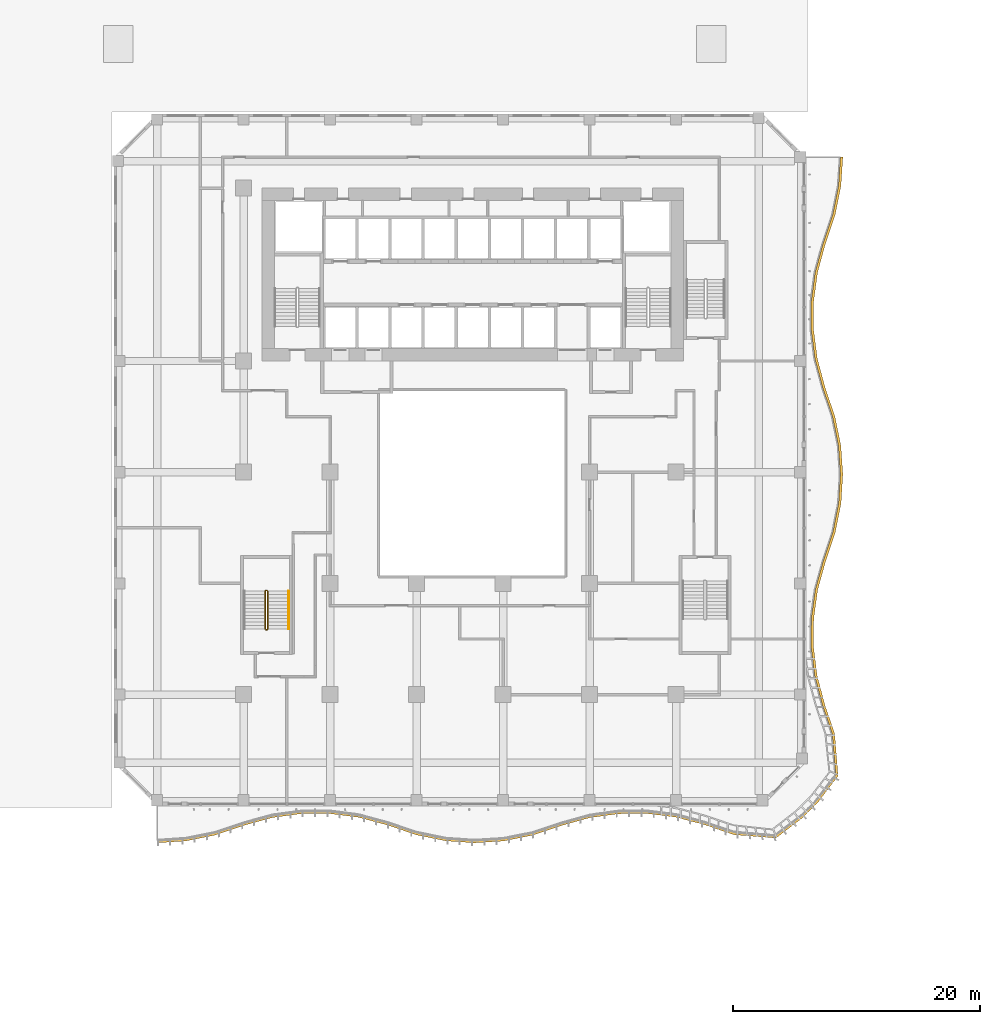
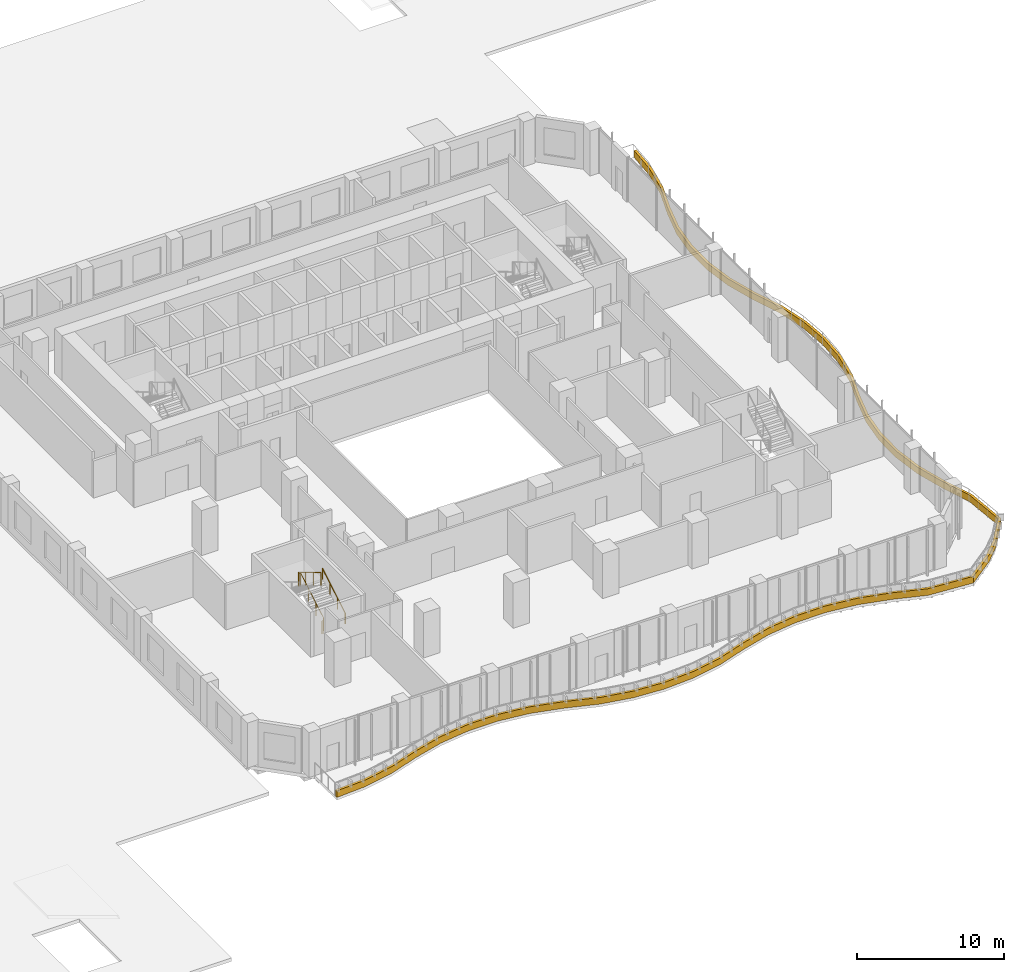
# One storey, part 25 of 29: 2 railings, 1 shading device.
"""IFC4 building model written with IfcOpenShell, lengths in metres."""

from ifc_helpers import new_model, si_unit, direction, frame, origin, origin_2d, place, context, subcontext, project, spatial, polyline, circle, outline, extrude, source, transform, mapped, material, layer, layer_set, type_object, element, save


model = new_model("IFC4")

# Units and contexts
model_context = context("Model", 3, precision=1e-05, world=origin(), true_north=direction((0.0, 1.0)))
body_context = subcontext(model_context, "Body", "Model", "MODEL_VIEW")
ifc_project = project(units=[si_unit("LENGTHUNIT", "METRE"), si_unit("AREAUNIT", "SQUARE_METRE"), si_unit("VOLUMEUNIT", "CUBIC_METRE"), si_unit("PLANEANGLEUNIT", "RADIAN"), si_unit("MASSUNIT", "GRAM", prefix="KILO")], contexts=[model_context])

# Site, building, storey
site_placement = place(None, origin())
site = spatial("IfcSite", under=ifc_project, at=site_placement, CompositionType="ELEMENT")
building_placement = place(site_placement, origin())
building = spatial("IfcBuilding", under=site, at=building_placement, Name="Kilnfold Tower and Market Hall", CompositionType="ELEMENT")
storey_placement = place(building_placement, frame((0.0, 0.0, 27.0)))
storey = spatial("IfcBuildingStorey", under=building, at=storey_placement, Name="L05", CompositionType="ELEMENT", Elevation=27.0)

# Railings
ifc_material_1 = material(Name="Stainless steel 316", Category="steel")
railing_type_1 = type_object("IfcRailingType", Name="CORE STAIR GUARD 1100", PredefinedType="GUARDRAIL", material=ifc_material_1)
railing_1_placement = place(storey_placement, frame((-15.699951171875, -13.75, 0.0)))
element("IfcRailing", 1, at=railing_1_placement, inside=storey, type_object=railing_type_1, Name="L05 ST3 stair guard 1", PredefinedType="GUARDRAIL", context=body_context, shape_type="SweptSolid", body=[
    extrude(circle(Radius=0.02392578125, at=origin_2d()), frame((0.0, 0.0, 1.076171875), z_axis=(1.0, 0.0, 0.0), x_axis=(0.0, 1.0, 0.0)), (0.0, 0.0, 1.0), 0.099853515625),
    extrude(circle(Radius=0.02392578125, at=origin_2d()), frame((0.099853515625, 0.0, 1.076171875), z_axis=(0.27628659633, 0.27628659633, 0.920506074601), x_axis=(-0.707106781187, 0.707106781187, 0.0)), (0.0, 0.0, 1.0), 0.18115234375),
    extrude(circle(Radius=0.02392578125, at=origin_2d()), frame((0.14990234375, 0.050048828125, 1.24267578125), z_axis=(0.0, 0.859290745958, 0.51148745235), x_axis=(-1.0, 0.0, 0.0)), (0.0, 0.0, 1.0), 3.584228515625),
    extrude(circle(Radius=0.02392578125, at=origin_2d()), frame((0.14990234375, 3.1298828125, 3.076171875), z_axis=(-0.707106781187, 0.707106781187, 0.0), x_axis=(-0.707106781187, -0.707106781187, 0.0)), (0.0, 0.0, 1.0), 0.07080078125),
    extrude(circle(Radius=0.02392578125, at=origin_2d()), frame((0.099853515625, 3.179931640625, 3.076171875), z_axis=(-1.0, 0.0, 0.0), x_axis=(0.0, -1.0, 0.0)), (0.0, 0.0, 1.0), 0.099853515625),
    extrude(circle(Radius=0.02392578125, at=origin_2d()), frame((0.0, 3.179931640625, 3.076171875), z_axis=(-0.27628659633, -0.27628659633, 0.920506074601), x_axis=(0.707106781187, -0.707106781187, 0.0)), (0.0, 0.0, 1.0), 0.18115234375),
    extrude(circle(Radius=0.02392578125, at=origin_2d()), frame((-0.050048828125, 3.1298828125, 3.24267578125), z_axis=(0.0, -0.859290745958, 0.51148745235), x_axis=(1.0, 0.0, 0.0)), (0.0, 0.0, 1.0), 3.584228515625),
    extrude(circle(Radius=0.02099609375, at=origin_2d()), origin(), (0.0, 0.0, 1.0), 1.052001953125),
    extrude(circle(Radius=0.02099609375, at=origin_2d()), frame((0.099853515625, 0.0, 0.0)), (0.0, 0.0, 1.0), 1.052001953125),
    extrude(circle(Radius=0.02099609375, at=origin_2d()), frame((0.14990234375, 0.050048828125, 0.166748046875)), (0.0, 0.0, 1.0), 1.052001953125),
    extrude(circle(Radius=0.02099609375, at=origin_2d()), frame((0.14990234375, 1.07666015625, 0.77783203125)), (0.0, 0.0, 1.0), 1.052001953125),
    extrude(circle(Radius=0.02099609375, at=origin_2d()), frame((0.14990234375, 2.103271484375, 1.388916015625)), (0.0, 0.0, 1.0), 1.052001953125),
    extrude(circle(Radius=0.02099609375, at=origin_2d()), frame((0.14990234375, 3.1298828125, 2.0)), (0.0, 0.0, 1.0), 1.052001953125),
    extrude(circle(Radius=0.02099609375, at=origin_2d()), frame((0.099853515625, 3.179931640625, 2.0)), (0.0, 0.0, 1.0), 1.052001953125),
    extrude(circle(Radius=0.02099609375, at=origin_2d()), frame((0.0, 3.179931640625, 2.0)), (0.0, 0.0, 1.0), 1.052001953125),
    extrude(circle(Radius=0.02099609375, at=origin_2d()), frame((-0.050048828125, 3.1298828125, 2.166748046875)), (0.0, 0.0, 1.0), 1.052001953125),
    extrude(circle(Radius=0.02099609375, at=origin_2d()), frame((-0.050048828125, 2.103271484375, 2.77783203125)), (0.0, 0.0, 1.0), 1.052001953125),
    extrude(circle(Radius=0.02099609375, at=origin_2d()), frame((-0.050048828125, 1.07666015625, 3.388916015625)), (0.0, 0.0, 1.0), 1.052001953125),
    extrude(circle(Radius=0.02099609375, at=origin_2d()), frame((-0.050048828125, 0.050048828125, 4.0)), (0.0, 0.0, 1.0), 1.052001953125),
])
ifc_material_2 = material(Name="Stainless steel 316", Category="steel")
railing_type_2 = type_object("IfcRailingType", Name="CORE STAIR HANDRAIL 900", PredefinedType="HANDRAIL", material=ifc_material_2)
railing_2_placement = place(storey_placement, frame((-13.85009765625, -13.699951171875, 0.166748046875)))
element("IfcRailing", 2, at=railing_2_placement, inside=storey, type_object=railing_type_2, Name="L05 ST3 stair handrail 1", PredefinedType="HANDRAIL", context=body_context, shape_type="SweptSolid", body=[
    extrude(circle(Radius=0.02392578125, at=origin_2d()), frame((0.0, 0.0, 0.8759765625), z_axis=(0.0, 0.859290745958, 0.51148745235), x_axis=(-1.0, 0.0, 0.0)), (0.0, 0.0, 1.0), 3.584228515625),
    extrude(circle(Radius=0.02099609375, at=origin_2d()), origin(), (0.0, 0.0, 1.0), 0.851806640625),
    extrude(circle(Radius=0.02099609375, at=origin_2d()), frame((0.0, 1.026611328125, 0.611083984375)), (0.0, 0.0, 1.0), 0.851806640625),
    extrude(circle(Radius=0.02099609375, at=origin_2d()), frame((0.0, 2.05322265625, 1.22216796875)), (0.0, 0.0, 1.0), 0.851806640625),
    extrude(circle(Radius=0.02099609375, at=origin_2d()), frame((0.0, 3.079833984375, 1.833251953125)), (0.0, 0.0, 1.0), 0.851806640625),
])

# Shading device
ifc_material_3 = material(Name="Precast concrete C50/60", Category="concrete")
ifc_layer = layer(ifc_material_3, 0.550048828125)
ifc_layer_set = layer_set([ifc_layer], Name="Precast concrete C50/60")
shading_device_type = type_object("IfcShadingDeviceType", Name="BALCONY UPSTAND 550", PredefinedType="USERDEFINED", material=ifc_layer_set)
shared_shape = source(origin(), body_context, "Body", "SweptSolid", [
    extrude(outline(polyline([(-24.5, -31.0), (-22.166748046875, -30.8466796875), (-19.833251953125, -30.379150390625), (-17.5, -29.59228515625), (-15.166748046875, -28.95361328125), (-12.833251953125, -28.640380859375), (-10.5, -28.635986328125), (-8.166748046875, -28.939453125), (-5.833251953125, -29.56787109375), (-3.5, -30.35986328125), (-1.166748046875, -30.83740234375), (1.166748046875, -31.0), (3.5, -30.85595703125), (5.833251953125, -30.398193359375), (8.166748046875, -29.6171875), (10.5, -28.968017578125), (12.833251953125, -28.6455078125), (15.166748046875, -28.631591796875), (17.5, -28.925537109375), (19.833251953125, -29.543701171875), (22.166748046875, -30.340087890625), (25.58203125, -30.6123046875), (27.7744140625, -28.941162109375), (28.941162109375, -27.7744140625), (30.6123046875, -25.58203125), (30.340087890625, -22.166748046875), (29.543701171875, -19.833251953125), (28.925537109375, -17.5), (28.631591796875, -15.166748046875), (28.6455078125, -12.833251953125), (28.968017578125, -10.5), (29.6171875, -8.166748046875), (30.398193359375, -5.833251953125), (30.85595703125, -3.5), (31.0, -1.166748046875), (30.83740234375, 1.166748046875), (30.35986328125, 3.5), (29.56787109375, 5.833251953125), (28.939453125, 8.166748046875), (28.635986328125, 10.5), (28.640380859375, 12.833251953125), (28.95361328125, 15.166748046875), (29.59228515625, 17.5), (30.379150390625, 19.833251953125), (30.8466796875, 22.166748046875), (31.0, 24.5), (30.800048828125, 24.5), (30.646728515625, 22.166748046875), (30.17919921875, 19.833251953125), (29.392333984375, 17.5), (28.753662109375, 15.166748046875), (28.4404296875, 12.833251953125), (28.435791015625, 10.5), (28.739501953125, 8.166748046875), (29.367919921875, 5.833251953125), (30.159912109375, 3.5), (30.637451171875, 1.166748046875), (30.7998046875, -1.166748046875), (30.656005859375, -3.5), (30.1982421875, -5.833251953125), (29.4169921875, -8.166748046875), (28.76806640625, -10.5), (28.4453125, -12.833251953125), (28.431396484375, -15.166748046875), (28.7255859375, -17.5), (29.34375, -19.833251953125), (30.14013671875, -22.166748046875), (30.427490234375, -25.505615234375), (28.7998046875, -27.633056640625), (27.633056640625, -28.7998046875), (25.505615234375, -30.427490234375), (22.166748046875, -30.14013671875), (19.833251953125, -29.34375), (17.5, -28.7255859375), (15.166748046875, -28.431396484375), (12.833251953125, -28.4453125), (10.5, -28.76806640625), (8.166748046875, -29.4169921875), (5.833251953125, -30.1982421875), (3.5, -30.656005859375), (1.166748046875, -30.7998046875), (-1.166748046875, -30.637451171875), (-3.5, -30.159912109375), (-5.833251953125, -29.367919921875), (-8.166748046875, -28.739501953125), (-10.5, -28.435791015625), (-12.833251953125, -28.4404296875), (-15.166748046875, -28.753662109375), (-17.5, -29.392333984375), (-19.833251953125, -30.17919921875), (-22.166748046875, -30.646728515625), (-24.5, -30.800048828125), (-24.5, -31.0)])), origin(), (0.0, 0.0, 1.0), 0.550048828125),
])
shading_device_placement = place(storey_placement, origin())
element("IfcShadingDevice", 3, at=shading_device_placement, inside=storey, type_object=shading_device_type, Name="Balcony fascia L05", ObjectType="FASCIA", PredefinedType="USERDEFINED", context=body_context, shape_type="MappedRepresentation", body=[
    mapped(shared_shape, transform((0.0, 0.0, 0.0))),
])

save(model, "model.ifc")
